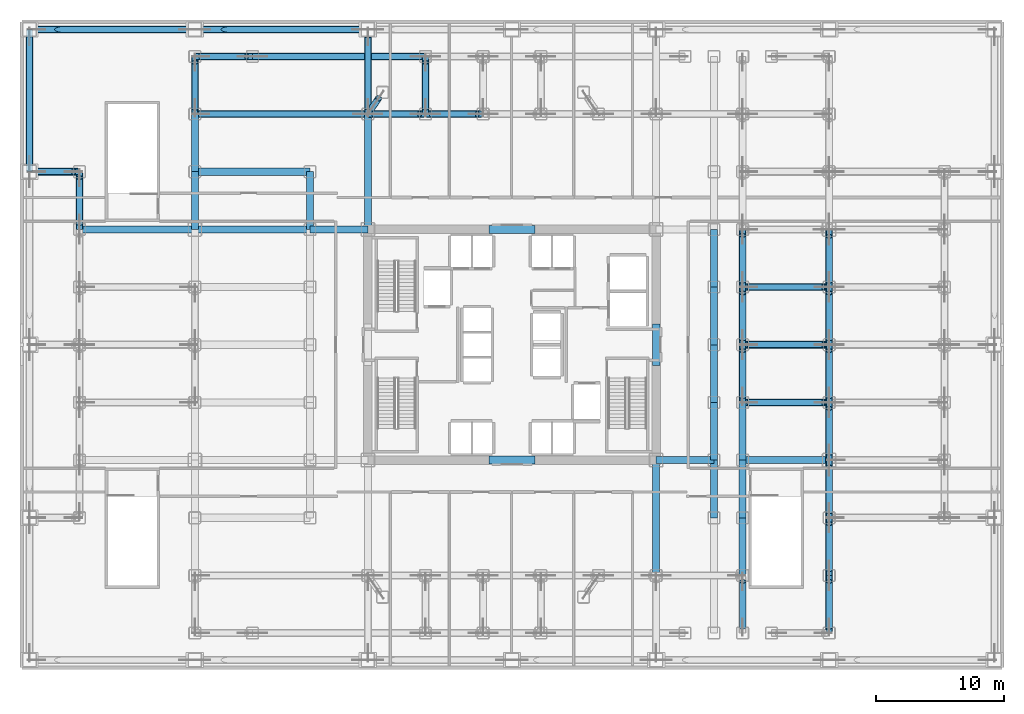
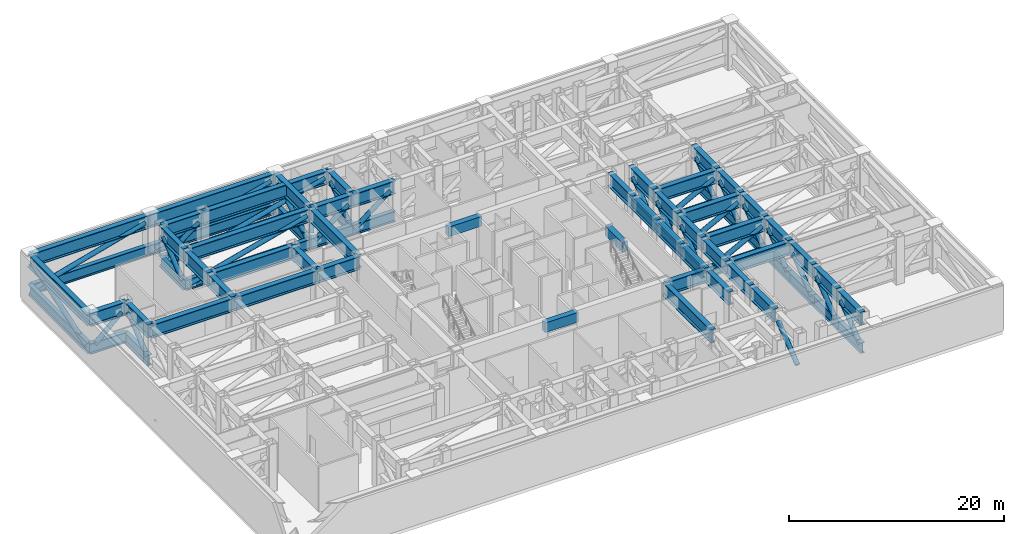
# One storey, part 3 of 17: 74 beams, 28 members.
"""IFC4 building model written with IfcOpenShell, lengths in metres."""

import ifcopenshell
import ifcopenshell.guid

model = None  # the IFC model being written
_history = None  # IfcOwnerHistory: only IFC2X3 demands one
_inside = {}  # id of a spatial element -> (the spatial element, [elements in it])
_under = {}  # id of a project, library or spatial element -> (it, [spatial elements below it])
_declared = {}  # id of a project -> (the project, [libraries it declares])
_typed = {}  # id of a type object -> (the type object, [elements of that type])
_made_of = {}  # id of a material, layer set ... -> (it, [elements and type objects made of it])


def new_model(schema):
    """Start an empty IFC model of exactly this schema.

    Asked for "IFC4X3", IfcOpenShell would pick the latest addendum, in which some entities
    have other attributes; the version numbers below select the first issue.
    IFC2X3 requires an IfcOwnerHistory on every rooted entity: one is made here for all.
    """
    global model, _history
    if schema == "IFC4X3":
        model = ifcopenshell.file(schema_version=(4, 3, 0, 0))
    else:
        model = ifcopenshell.file(schema=schema)
    _inside.clear()
    _under.clear()
    _declared.clear()
    _typed.clear()
    _made_of.clear()
    _history = None
    if model.schema == "IFC2X3":
        org = make("IfcOrganization", Name="unknown")
        user = make(
            "IfcPersonAndOrganization",
            ThePerson=make("IfcPerson", FamilyName="unknown"),
            TheOrganization=org,
        )
        app = make(
            "IfcApplication",
            ApplicationDeveloper=org,
            Version="unknown",
            ApplicationFullName="unknown",
            ApplicationIdentifier="unknown",
        )
        _history = make(
            "IfcOwnerHistory",
            OwningUser=user,
            OwningApplication=app,
            ChangeAction="ADDED",
            CreationDate=0,
        )
    return model


def make(cls, **values):
    """One entity of the class cls with the attributes given. An attribute that is None is left unset."""
    return model.create_entity(
        cls, **{name: value for name, value in values.items() if value is not None}
    )


def rooted(cls, **values):
    """An entity with a GlobalId (a new one), such as an element, a storey or a relation."""
    return make(cls, GlobalId=ifcopenshell.guid.new(), OwnerHistory=_history, **values)


def si_unit(unit_type, name, prefix=None):
    """IfcSIUnit, for example si_unit("LENGTHUNIT", "METRE", prefix="MILLI")."""
    return make("IfcSIUnit", UnitType=unit_type, Prefix=prefix, Name=name)


def assignment(units):
    """IfcUnitAssignment: the units of a project."""
    return None if units is None else make("IfcUnitAssignment", Units=units)


def point(xyz):
    """IfcCartesianPoint."""
    return None if xyz is None else make("IfcCartesianPoint", Coordinates=xyz)


def direction(xyz):
    """IfcDirection."""
    return None if xyz is None else make("IfcDirection", DirectionRatios=xyz)


def frame(location, z_axis=None, x_axis=None):
    """IfcAxis2Placement3D, a coordinate frame: its origin and axes. An axis left out is left unset."""
    return make(
        "IfcAxis2Placement3D",
        Location=point(location),
        Axis=direction(z_axis),
        RefDirection=direction(x_axis),
    )


def frame_2d(location, x_axis=None):
    """IfcAxis2Placement2D, a coordinate frame in the plane: its origin and x axis."""
    return make(
        "IfcAxis2Placement2D", Location=point(location), RefDirection=direction(x_axis)
    )


def origin():
    """The frame at (0, 0, 0) with its axes left unset."""
    return frame((0.0, 0.0, 0.0))


def origin_2d():
    """The frame at (0, 0) in the plane with its x axis left unset."""
    return frame_2d((0.0, 0.0))


def place(relative_to, where):
    """IfcLocalPlacement: puts the frame where relative to a parent placement (None: the world)."""
    return make(
        "IfcLocalPlacement", PlacementRelTo=relative_to, RelativePlacement=where
    )


def context(
    kind, dimensions, precision=None, world=None, true_north=None, identifier=None
):
    """IfcGeometricRepresentationContext, for example the 3D "Model" context."""
    return make(
        "IfcGeometricRepresentationContext",
        ContextIdentifier=identifier,
        ContextType=kind,
        CoordinateSpaceDimension=dimensions,
        Precision=precision,
        WorldCoordinateSystem=world,
        TrueNorth=true_north,
    )


def subcontext(parent, identifier, kind, view, scale=None):
    """IfcGeometricRepresentationSubContext, for example "Body" below "Model"."""
    return make(
        "IfcGeometricRepresentationSubContext",
        ContextIdentifier=identifier,
        ContextType=kind,
        ParentContext=parent,
        TargetScale=scale,
        TargetView=view,
    )


def project(units=None, contexts=None):
    """IfcProject with its units and contexts."""
    return rooted(
        "IfcProject",
        Name="project",
        RepresentationContexts=contexts,
        UnitsInContext=assignment(units),
    )


def spatial(cls, under=None, at=None, **own):
    """A site, building, storey or space (cls), placed at a placement, below another one or the project."""
    s = rooted(cls, ObjectPlacement=at, **own)
    if under is not None:
        _under.setdefault(under.id(), (under, []))[1].append(s)
    return s


def profile(cls, at=None, kind="AREA", **sizes):
    """A parametric profile (cls). Its sizes go by their IFC names, for example OverallWidth=200.0."""
    return make(cls, ProfileType=kind, Position=at, **sizes)


def rectangle(**sizes):
    """IfcRectangleProfileDef."""
    return profile("IfcRectangleProfileDef", **sizes)


def hollow_circle(**sizes):
    """IfcCircleHollowProfileDef."""
    return profile("IfcCircleHollowProfileDef", **sizes)


def i_section(**sizes):
    """IfcIShapeProfileDef."""
    return profile("IfcIShapeProfileDef", **sizes)


def extrude(swept, where, along, depth):
    """IfcExtrudedAreaSolid: the profile swept, set in the frame where, extruded along a direction by depth."""
    return make(
        "IfcExtrudedAreaSolid",
        SweptArea=swept,
        Position=where,
        ExtrudedDirection=direction(along),
        Depth=depth,
    )


def shape(context_of_items, identifier, shape_type, items):
    """IfcShapeRepresentation: the items that make up one representation, for example the "Body"."""
    return make(
        "IfcShapeRepresentation",
        ContextOfItems=context_of_items,
        RepresentationIdentifier=identifier,
        RepresentationType=shape_type,
        Items=items,
    )


def source(mapping_origin, context_of_items, identifier, shape_type, items):
    """IfcRepresentationMap: a shape defined once, which mapped items show again and again."""
    return make(
        "IfcRepresentationMap",
        MappingOrigin=mapping_origin,
        MappedRepresentation=shape(context_of_items, identifier, shape_type, items),
    )


def transform(
    local_origin,
    x_axis=None,
    y_axis=None,
    z_axis=None,
    scale=None,
    scale2=None,
    scale3=None,
    uniform=True,
):
    """IfcCartesianTransformationOperator3D, or its non-uniform kind. x_axis, y_axis, z_axis: its Axis1, 2, 3."""
    if uniform:
        return make(
            "IfcCartesianTransformationOperator3D",
            Axis1=direction(x_axis),
            Axis2=direction(y_axis),
            LocalOrigin=point(local_origin),
            Scale=scale,
            Axis3=direction(z_axis),
        )
    return make(
        "IfcCartesianTransformationOperator3DnonUniform",
        Axis1=direction(x_axis),
        Axis2=direction(y_axis),
        LocalOrigin=point(local_origin),
        Scale=scale,
        Axis3=direction(z_axis),
        Scale2=scale2,
        Scale3=scale3,
    )


def mapped(mapping_source, mapping_target):
    """IfcMappedItem: shows the shape of a source again, moved by a transform."""
    return make(
        "IfcMappedItem", MappingSource=mapping_source, MappingTarget=mapping_target
    )


def material(Name=None, Category=None):
    """IfcMaterial."""
    return make("IfcMaterial", Name=Name, Category=Category)


def material_profile(
    of_material, cross_section, Name=None, Category=None, Priority=None
):
    """IfcMaterialProfile: a cross section and its material."""
    return make(
        "IfcMaterialProfile",
        Name=Name,
        Material=of_material,
        Profile=cross_section,
        Priority=Priority,
        Category=Category,
    )


def profile_set(profiles, Name=None, composite=None):
    """IfcMaterialProfileSet."""
    return make(
        "IfcMaterialProfileSet",
        Name=Name,
        MaterialProfiles=profiles,
        CompositeProfile=composite,
    )


def made_of(thing, what):
    """Note that an element or type object is made of a material, layer set ...; save() writes the relation."""
    if what is not None:
        _made_of.setdefault(what.id(), (what, []))[1].append(thing)
    return thing


def type_object(cls, material=None, **own):
    """A type object (cls), such as IfcWallType, which elements share."""
    return made_of(rooted(cls, **own), material)


def element(
    cls,
    number,
    at=None,
    inside=None,
    cuts=None,
    type_object=None,
    material=None,
    context=None,
    identifier="Body",
    shape_type=None,
    held_by="IfcProductDefinitionShape",
    body=None,
    shapes=None,
    **own,
):
    """One element of the class cls, such as IfcWall. Its Tag is "e" and its number.

    at: its placement. inside: the storey or other place that contains it. cuts: it is an
    opening in that element (IfcRelVoidsElement). A single representation is given by context,
    identifier, shape_type and body (its items); several are given by shapes. held_by: the class
    of the entity that holds the representations. save() writes the other relations.
    """
    e = rooted(cls, Tag="e%d" % number, ObjectPlacement=at, **own)
    if body is not None:
        shapes = [shape(context, identifier, shape_type, body)]
    if shapes is not None:
        e.Representation = make(held_by, Representations=shapes)
    if inside is not None:
        _inside.setdefault(inside.id(), (inside, []))[1].append(e)
    if cuts is not None:
        rooted(
            "IfcRelVoidsElement", RelatingBuildingElement=cuts, RelatedOpeningElement=e
        )
    if type_object is not None:
        _typed.setdefault(type_object.id(), (type_object, []))[1].append(e)
    return made_of(e, material)


def aggregate(whole, parts):
    """IfcRelAggregates: a whole, such as a stair, and the parts it consists of."""
    return rooted("IfcRelAggregates", RelatingObject=whole, RelatedObjects=parts)


def save(model, path):
    """Write the relations noted so far, then the file.

    IfcRelAggregates (storeys below a building ...), IfcRelContainedInSpatialStructure (elements
    in a storey), IfcRelDefinesByType, IfcRelAssociatesMaterial and IfcRelDeclares: one each for
    every whole, place, type object, material and project.
    """
    for whole, parts in _under.values():
        aggregate(whole, parts)
    for where, things in _inside.values():
        rooted(
            "IfcRelContainedInSpatialStructure",
            RelatedElements=things,
            RelatingStructure=where,
        )
    for kind, things in _typed.values():
        rooted("IfcRelDefinesByType", RelatedObjects=things, RelatingType=kind)
    for what, things in _made_of.values():
        rooted("IfcRelAssociatesMaterial", RelatedObjects=things, RelatingMaterial=what)
    for by, libraries in _declared.values():
        rooted("IfcRelDeclares", RelatingContext=by, RelatedDefinitions=libraries)
    model.write(path)


model = new_model("IFC4")

# Units and contexts
model_context = context("Model", 3, precision=1e-05, world=origin(), true_north=direction((0.0, 1.0)))
body_context = subcontext(model_context, "Body", "Model", "MODEL_VIEW")
ifc_project = project(units=[si_unit("LENGTHUNIT", "METRE"), si_unit("AREAUNIT", "SQUARE_METRE"), si_unit("VOLUMEUNIT", "CUBIC_METRE"), si_unit("PLANEANGLEUNIT", "RADIAN"), si_unit("MASSUNIT", "GRAM", prefix="KILO")], contexts=[model_context])

# Site, building, storey
site_placement = place(None, origin())
site = spatial("IfcSite", under=ifc_project, at=site_placement, CompositionType="ELEMENT")
building_placement = place(site_placement, origin())
building = spatial("IfcBuilding", under=site, at=building_placement, Name="Nefas-Gora Pilgrimage Tower", CompositionType="ELEMENT")
storey_placement = place(building_placement, frame((0.0, 0.0, 27.60009765625)))
storey = spatial("IfcBuildingStorey", under=building, at=storey_placement, Name="L05", CompositionType="ELEMENT", Elevation=27.60009765625)

# Beams
ifc_material_1 = material(Name="Concrete C60/75", Category="concrete")
ifc_material_profile_1 = material_profile(ifc_material_1, rectangle(XDim=0.60009765625, YDim=1.10009765625, at=origin_2d()), Name="RC 600x1100")
ifc_profile_set_1 = profile_set([ifc_material_profile_1], Name="Concrete C60/75")
beam_type_1 = type_object("IfcBeamType", Name="BM-LIN-RC1100", PredefinedType="LINTEL", material=ifc_profile_set_1)
shared_shape_1 = source(origin(), body_context, "Body", "SweptSolid", [
    extrude(rectangle(XDim=0.60009765625, YDim=1.10009765625, at=origin_2d()), origin(), (0.0, 0.0, 1.0), 3.60009765625),
])
for number, where, z_axis, x_axis, name in (
    (1, (-1.800048828125, 9.0, 4.599853515625), (1.0, 0.0, 0.0), (0.0, 1.0, 0.0), "L05 Core Coupling Lintel Beam N"),
    (2, (-1.800048828125, -9.0, 4.599853515625), (1.0, 0.0, 0.0), (0.0, 1.0, 0.0), "L05 Core Coupling Lintel Beam S"),
):
    element("IfcBeam", number, at=place(storey_placement, frame(where, z_axis=z_axis, x_axis=x_axis)), inside=storey, type_object=beam_type_1, Name=name, PredefinedType="LINTEL", context=body_context, shape_type="MappedRepresentation", body=[
        mapped(shared_shape_1, transform((0.0, 0.0, 0.0), x_axis=(1.0, 0.0, 0.0), y_axis=(0.0, 1.0, 0.0), z_axis=(0.0, 0.0, 1.0), scale=1.0)),
    ])
shared_shape_2 = source(origin(), body_context, "Body", "SweptSolid", [
    extrude(rectangle(XDim=0.60009765625, YDim=1.10009765625, at=origin_2d()), origin(), (0.0, 0.0, 1.0), 3.2001953125),
])
beam_1_placement = place(storey_placement, frame((11.25, -1.60009765625, 4.599853515625), z_axis=(0.0, 1.0, 0.0), x_axis=(-1.0, 0.0, 0.0)))
element("IfcBeam", 3, at=beam_1_placement, inside=storey, type_object=beam_type_1, Name="L05 Core Coupling Lintel Beam E", PredefinedType="LINTEL", context=body_context, shape_type="MappedRepresentation", body=[
    mapped(shared_shape_2, transform((0.0, 0.0, 0.0), x_axis=(1.0, 0.0, 0.0), y_axis=(0.0, 1.0, 0.0), z_axis=(0.0, 0.0, 1.0), scale=1.0)),
])
ifc_material_2 = material(Name="Steel S460", Category="steel")
ifc_material_profile_2 = material_profile(ifc_material_2, i_section(OverallWidth=0.550048828125, OverallDepth=1.5, WebThickness=0.031982421875, FlangeThickness=0.06005859375, FilletRadius=0.02392578125, at=origin_2d()), Name="WPG 1500x550x32x60")
ifc_profile_set_2 = profile_set([ifc_material_profile_2], Name="Steel S460")
beam_type_2 = type_object("IfcBeamType", Name="BM-TR-1500", PredefinedType="BEAM", material=ifc_profile_set_2)
shared_shape_3 = source(origin(), body_context, "Body", "SweptSolid", [
    extrude(i_section(OverallWidth=0.550048828125, OverallDepth=1.5, WebThickness=0.031982421875, FlangeThickness=0.06005859375, FilletRadius=0.02392578125, at=origin_2d()), origin(), (0.0, 0.0, 1.0), 13.5),
])
for number, where, z_axis, x_axis, name in (
    (4, (-24.75, 18.0, 4.39990234375), (1.0, 0.0, 0.0), (0.0, 1.0, 0.0), "L05 Transfer Truss Top Chord TB-01.41"),
    (5, (-24.75, 24.60009765625, 4.39990234375), (1.0, 0.0, 0.0), (0.0, 1.0, 0.0), "L05 Transfer Truss Top Chord TB-01.43"),
    (6, (-20.25, 22.5, 4.39990234375), (1.0, 0.0, 0.0), (0.0, 1.0, 0.0), "L05 Transfer Truss Top Chord TB-01.45"),
):
    element("IfcBeam", number, at=place(storey_placement, frame(where, z_axis=z_axis, x_axis=x_axis)), inside=storey, type_object=beam_type_2, Name=name, PredefinedType="BEAM", context=body_context, shape_type="MappedRepresentation", body=[
        mapped(shared_shape_3, transform((0.0, 0.0, 0.0), x_axis=(1.0, 0.0, 0.0), y_axis=(0.0, 1.0, 0.0), z_axis=(0.0, 0.0, 1.0), scale=1.0)),
    ])
shared_shape_4 = source(origin(), body_context, "Body", "SweptSolid", [
    extrude(i_section(OverallWidth=0.550048828125, OverallDepth=1.5, WebThickness=0.031982421875, FlangeThickness=0.06005859375, FilletRadius=0.02392578125, at=origin_2d()), origin(), (0.0, 0.0, 1.0), 11.10009765625),
])
beam_2_placement = place(storey_placement, frame((-37.64990234375, 13.5, 4.39990234375), z_axis=(0.0, 1.0, 0.0), x_axis=(-1.0, 0.0, 0.0)))
element("IfcBeam", 7, at=beam_2_placement, inside=storey, type_object=beam_type_2, Name="L05 Transfer Truss Top Chord TB-01.7", PredefinedType="BEAM", context=body_context, shape_type="MappedRepresentation", body=[
    mapped(shared_shape_4, transform((0.0, 0.0, 0.0), x_axis=(1.0, 0.0, 0.0), y_axis=(0.0, 1.0, 0.0), z_axis=(0.0, 0.0, 1.0), scale=1.0)),
])
ifc_material_profile_3 = material_profile(ifc_material_2, i_section(OverallWidth=0.449951171875, OverallDepth=1.199951171875, WebThickness=0.028076171875, FlangeThickness=0.050048828125, FilletRadius=0.02392578125, at=origin_2d()), Name="WPG 1200x450x28x50")
ifc_profile_set_3 = profile_set([ifc_material_profile_3], Name="Steel S460")
beam_type_3 = type_object("IfcBeamType", Name="BM-TR-1200", PredefinedType="BEAM", material=ifc_profile_set_3)
shared_shape_5 = source(origin(), body_context, "Body", "SweptSolid", [
    extrude(i_section(OverallWidth=0.449951171875, OverallDepth=1.199951171875, WebThickness=0.028076171875, FlangeThickness=0.050048828125, FilletRadius=0.02392578125, at=origin_2d()), origin(), (0.0, 0.0, 1.0), 11.10009765625),
])
beam_3_placement = place(storey_placement, frame((-37.64990234375, 13.5, 1.0498046875), z_axis=(0.0, 1.0, 0.0), x_axis=(-1.0, 0.0, 0.0)))
element("IfcBeam", 8, at=beam_3_placement, inside=storey, type_object=beam_type_3, Name="L05 Transfer Truss Bottom Chord TB-02.7", PredefinedType="BEAM", context=body_context, shape_type="MappedRepresentation", body=[
    mapped(shared_shape_5, transform((0.0, 0.0, 0.0), x_axis=(1.0, 0.0, 0.0), y_axis=(0.0, 1.0, 0.0), z_axis=(0.0, 0.0, 1.0), scale=1.0)),
])

# Member
ifc_material_profile_4 = material_profile(ifc_material_2, hollow_circle(Radius=0.25390625, WallThickness=0.031982421875, at=origin_2d()), Name="CHS 508x32")
ifc_profile_set_4 = profile_set([ifc_material_profile_4], Name="Steel S460")
member_type = type_object("IfcMemberType", Name="MEM-TRUSS-508", PredefinedType="BRACE", material=ifc_profile_set_4)
shared_shape_6 = source(origin(), body_context, "Body", "SweptSolid", [
    extrude(hollow_circle(Radius=0.25390625, WallThickness=0.031982421875, at=origin_2d()), origin(), (0.0, 0.0, 1.0), 10.524169921875),
])
member_1_placement = place(storey_placement, frame((-37.64990234375, 14.0380859375, 1.02197265625), z_axis=(0.0, 0.952475042188, 0.304616634492), x_axis=(-1.0, 0.0, 0.0)))
element("IfcMember", 9, at=member_1_placement, inside=storey, type_object=member_type, Name="L05 Transfer Truss Web Diagonal TBR-01.7", PredefinedType="BRACE", context=body_context, shape_type="MappedRepresentation", body=[
    mapped(shared_shape_6, transform((0.0, 0.0, 0.0), x_axis=(1.0, 0.0, 0.0), y_axis=(0.0, 1.0, 0.0), z_axis=(0.0, 0.0, 1.0), scale=1.0)),
])

# Beams
shared_shape_7 = source(origin(), body_context, "Body", "SweptSolid", [
    extrude(i_section(OverallWidth=0.550048828125, OverallDepth=1.5, WebThickness=0.031982421875, FlangeThickness=0.06005859375, FilletRadius=0.02392578125, at=origin_2d()), origin(), (0.0, 0.0, 1.0), 12.89990234375),
])
beam_4_placement = place(storey_placement, frame((-37.64990234375, 24.60009765625, 4.39990234375), z_axis=(1.0, 0.0, 0.0), x_axis=(0.0, 1.0, 0.0)))
element("IfcBeam", 10, at=beam_4_placement, inside=storey, type_object=beam_type_2, Name="L05 Transfer Truss Top Chord TB-01.9", PredefinedType="BEAM", context=body_context, shape_type="MappedRepresentation", body=[
    mapped(shared_shape_7, transform((0.0, 0.0, 0.0), x_axis=(1.0, 0.0, 0.0), y_axis=(0.0, 1.0, 0.0), z_axis=(0.0, 0.0, 1.0), scale=1.0)),
])
shared_shape_8 = source(origin(), body_context, "Body", "SweptSolid", [
    extrude(i_section(OverallWidth=0.449951171875, OverallDepth=1.199951171875, WebThickness=0.028076171875, FlangeThickness=0.050048828125, FilletRadius=0.02392578125, at=origin_2d()), origin(), (0.0, 0.0, 1.0), 12.89990234375),
])
beam_5_placement = place(storey_placement, frame((-37.64990234375, 24.60009765625, 1.0498046875), z_axis=(1.0, 0.0, 0.0), x_axis=(0.0, 1.0, 0.0)))
element("IfcBeam", 11, at=beam_5_placement, inside=storey, type_object=beam_type_3, Name="L05 Transfer Truss Bottom Chord TB-02.9", PredefinedType="BEAM", context=body_context, shape_type="MappedRepresentation", body=[
    mapped(shared_shape_8, transform((0.0, 0.0, 0.0), x_axis=(1.0, 0.0, 0.0), y_axis=(0.0, 1.0, 0.0), z_axis=(0.0, 0.0, 1.0), scale=1.0)),
])

# Member
shared_shape_9 = source(origin(), body_context, "Body", "SweptSolid", [
    extrude(hollow_circle(Radius=0.25390625, WallThickness=0.031982421875, at=origin_2d()), origin(), (0.0, 0.0, 1.0), 12.263427734375),
])
member_2_placement = place(storey_placement, frame((-37.112060546875, 24.60009765625, 0.998046875), z_axis=(0.964162244211, 0.0, 0.26531333709), x_axis=(0.0, 1.0, 0.0)))
element("IfcMember", 12, at=member_2_placement, inside=storey, type_object=member_type, Name="L05 Transfer Truss Web Diagonal TBR-01.9", PredefinedType="BRACE", context=body_context, shape_type="MappedRepresentation", body=[
    mapped(shared_shape_9, transform((0.0, 0.0, 0.0), x_axis=(1.0, 0.0, 0.0), y_axis=(0.0, 1.0, 0.0), z_axis=(0.0, 0.0, 1.0), scale=1.0)),
])

# Beams
shared_shape_10 = source(origin(), body_context, "Body", "SweptSolid", [
    extrude(i_section(OverallWidth=0.449951171875, OverallDepth=1.199951171875, WebThickness=0.028076171875, FlangeThickness=0.050048828125, FilletRadius=0.02392578125, at=origin_2d()), origin(), (0.0, 0.0, 1.0), 13.5),
])
for number, where, z_axis, x_axis, name in (
    (13, (-24.75, 18.0, 1.0498046875), (1.0, 0.0, 0.0), (0.0, 1.0, 0.0), "L05 Transfer Truss Bottom Chord TB-02.41"),
    (14, (-24.75, 24.60009765625, 1.0498046875), (1.0, 0.0, 0.0), (0.0, 1.0, 0.0), "L05 Transfer Truss Bottom Chord TB-02.43"),
    (15, (-20.25, 22.5, 1.0498046875), (1.0, 0.0, 0.0), (0.0, 1.0, 0.0), "L05 Transfer Truss Bottom Chord TB-02.45"),
):
    element("IfcBeam", number, at=place(storey_placement, frame(where, z_axis=z_axis, x_axis=x_axis)), inside=storey, type_object=beam_type_3, Name=name, PredefinedType="BEAM", context=body_context, shape_type="MappedRepresentation", body=[
        mapped(shared_shape_10, transform((0.0, 0.0, 0.0), x_axis=(1.0, 0.0, 0.0), y_axis=(0.0, 1.0, 0.0), z_axis=(0.0, 0.0, 1.0), scale=1.0)),
    ])

# Member
shared_shape_11 = source(origin(), body_context, "Body", "SweptSolid", [
    extrude(hollow_circle(Radius=0.25390625, WallThickness=0.031982421875, at=origin_2d()), origin(), (0.0, 0.0, 1.0), 12.84619140625),
])
member_3_placement = place(storey_placement, frame((-24.2119140625, 24.60009765625, 0.991455078125), z_axis=(0.967124000788, 0.0, 0.254305263609), x_axis=(0.0, 1.0, 0.0)))
element("IfcMember", 16, at=member_3_placement, inside=storey, type_object=member_type, Name="L05 Transfer Truss Web Diagonal TBR-01.43", PredefinedType="BRACE", context=body_context, shape_type="MappedRepresentation", body=[
    mapped(shared_shape_11, transform((0.0, 0.0, 0.0), x_axis=(1.0, 0.0, 0.0), y_axis=(0.0, 1.0, 0.0), z_axis=(0.0, 0.0, 1.0), scale=1.0)),
])

# Beams
shared_shape_12 = source(origin(), body_context, "Body", "SweptSolid", [
    extrude(i_section(OverallWidth=0.550048828125, OverallDepth=1.5, WebThickness=0.031982421875, FlangeThickness=0.06005859375, FilletRadius=0.02392578125, at=origin_2d()), origin(), (0.0, 0.0, 1.0), 3.89990234375),
])
beam_6_placement = place(storey_placement, frame((-37.64990234375, 13.5, 4.39990234375), z_axis=(1.0, 0.0, 0.0), x_axis=(0.0, 1.0, 0.0)))
element("IfcBeam", 17, at=beam_6_placement, inside=storey, type_object=beam_type_2, Name="L05 Transfer Truss Top Chord TB-01.8", PredefinedType="BEAM", context=body_context, shape_type="MappedRepresentation", body=[
    mapped(shared_shape_12, transform((0.0, 0.0, 0.0), x_axis=(1.0, 0.0, 0.0), y_axis=(0.0, 1.0, 0.0), z_axis=(0.0, 0.0, 1.0), scale=1.0)),
])
shared_shape_13 = source(origin(), body_context, "Body", "SweptSolid", [
    extrude(i_section(OverallWidth=0.449951171875, OverallDepth=1.199951171875, WebThickness=0.028076171875, FlangeThickness=0.050048828125, FilletRadius=0.02392578125, at=origin_2d()), origin(), (0.0, 0.0, 1.0), 3.89990234375),
])
beam_7_placement = place(storey_placement, frame((-37.64990234375, 13.5, 1.0498046875), z_axis=(1.0, 0.0, 0.0), x_axis=(0.0, 1.0, 0.0)))
element("IfcBeam", 18, at=beam_7_placement, inside=storey, type_object=beam_type_3, Name="L05 Transfer Truss Bottom Chord TB-02.8", PredefinedType="BEAM", context=body_context, shape_type="MappedRepresentation", body=[
    mapped(shared_shape_13, transform((0.0, 0.0, 0.0), x_axis=(1.0, 0.0, 0.0), y_axis=(0.0, 1.0, 0.0), z_axis=(0.0, 0.0, 1.0), scale=1.0)),
])

# Member
shared_shape_14 = source(origin(), body_context, "Body", "SweptSolid", [
    extrude(hollow_circle(Radius=0.25390625, WallThickness=0.031982421875, at=origin_2d()), origin(), (0.0, 0.0, 1.0), 3.92041015625),
])
member_4_placement = place(storey_placement, frame((-37.112060546875, 13.5, 1.339599609375), z_axis=(0.739520063615, 0.0, 0.673134515168), x_axis=(0.0, 1.0, 0.0)))
element("IfcMember", 19, at=member_4_placement, inside=storey, type_object=member_type, Name="L05 Transfer Truss Web Diagonal TBR-01.8", PredefinedType="BRACE", context=body_context, shape_type="MappedRepresentation", body=[
    mapped(shared_shape_14, transform((0.0, 0.0, 0.0), x_axis=(1.0, 0.0, 0.0), y_axis=(0.0, 1.0, 0.0), z_axis=(0.0, 0.0, 1.0), scale=1.0)),
])

# Beams
shared_shape_15 = source(origin(), body_context, "Body", "SweptSolid", [
    extrude(i_section(OverallWidth=0.550048828125, OverallDepth=1.5, WebThickness=0.031982421875, FlangeThickness=0.06005859375, FilletRadius=0.02392578125, at=origin_2d()), origin(), (0.0, 0.0, 1.0), 4.5),
])
for number, where, z_axis, x_axis, name in (
    (20, (-33.75, 9.0, 4.39990234375), (0.0, 1.0, 0.0), (-1.0, 0.0, 0.0), "L05 Transfer Truss Top Chord TB-01.19"),
    (21, (-24.75, 9.0, 4.39990234375), (0.0, 1.0, 0.0), (-1.0, 0.0, 0.0), "L05 Transfer Truss Top Chord TB-01.36"),
    (22, (-24.75, 13.5, 4.39990234375), (0.0, 1.0, 0.0), (-1.0, 0.0, 0.0), "L05 Transfer Truss Top Chord TB-01.38"),
    (23, (-24.75, 18.0, 4.39990234375), (0.0, 1.0, 0.0), (-1.0, 0.0, 0.0), "L05 Transfer Truss Top Chord TB-01.40"),
    (24, (-24.75, 22.5, 4.39990234375), (1.0, 0.0, 0.0), (0.0, 1.0, 0.0), "L05 Transfer Truss Top Chord TB-01.42"),
    (25, (-15.75, 9.0, 4.39990234375), (0.0, 1.0, 0.0), (-1.0, 0.0, 0.0), "L05 Transfer Truss Top Chord TB-01.52"),
    (26, (-15.75, 9.0, 4.39990234375), (1.0, 0.0, 0.0), (0.0, 1.0, 0.0), "L05 Transfer Truss Top Chord TB-01.53"),
    (27, (-11.25, 18.0, 4.39990234375), (1.0, 0.0, 0.0), (0.0, 1.0, 0.0), "L05 Transfer Truss Top Chord TB-01.60"),
    (28, (-6.75, 18.0, 4.39990234375), (0.0, 1.0, 0.0), (-1.0, 0.0, 0.0), "L05 Transfer Truss Top Chord TB-01.65"),
    (29, (-6.75, 18.0, 4.39990234375), (1.0, 0.0, 0.0), (0.0, 1.0, 0.0), "L05 Transfer Truss Top Chord TB-01.66"),
    (30, (11.25, -9.0, 4.39990234375), (1.0, 0.0, 0.0), (0.0, 1.0, 0.0), "L05 Transfer Truss Top Chord TB-01.88"),
    (31, (15.75, -13.5, 4.39990234375), (0.0, 1.0, 0.0), (-1.0, 0.0, 0.0), "L05 Transfer Truss Top Chord TB-01.95"),
    (32, (15.75, -9.0, 4.39990234375), (0.0, 1.0, 0.0), (-1.0, 0.0, 0.0), "L05 Transfer Truss Top Chord TB-01.96"),
    (33, (15.75, -4.5, 4.39990234375), (0.0, 1.0, 0.0), (-1.0, 0.0, 0.0), "L05 Transfer Truss Top Chord TB-01.97"),
    (34, (15.75, 0.0, 4.39990234375), (0.0, 1.0, 0.0), (-1.0, 0.0, 0.0), "L05 Transfer Truss Top Chord TB-01.98"),
    (35, (15.75, 4.5, 4.39990234375), (0.0, 1.0, 0.0), (-1.0, 0.0, 0.0), "L05 Transfer Truss Top Chord TB-01.99"),
    (36, (18.0, -18.0, 4.39990234375), (0.0, 1.0, 0.0), (-1.0, 0.0, 0.0), "L05 Transfer Truss Top Chord TB-01.103"),
    (37, (18.0, -13.5, 4.39990234375), (0.0, 1.0, 0.0), (-1.0, 0.0, 0.0), "L05 Transfer Truss Top Chord TB-01.104"),
    (38, (18.0, -9.0, 4.39990234375), (0.0, 1.0, 0.0), (-1.0, 0.0, 0.0), "L05 Transfer Truss Top Chord TB-01.105"),
    (39, (18.0, -4.5, 4.39990234375), (0.0, 1.0, 0.0), (-1.0, 0.0, 0.0), "L05 Transfer Truss Top Chord TB-01.107"),
    (40, (18.0, 0.0, 4.39990234375), (0.0, 1.0, 0.0), (-1.0, 0.0, 0.0), "L05 Transfer Truss Top Chord TB-01.109"),
    (41, (18.0, 4.5, 4.39990234375), (0.0, 1.0, 0.0), (-1.0, 0.0, 0.0), "L05 Transfer Truss Top Chord TB-01.111"),
    (42, (24.75, -22.5, 4.39990234375), (0.0, 1.0, 0.0), (-1.0, 0.0, 0.0), "L05 Transfer Truss Top Chord TB-01.122"),
    (43, (24.75, -18.0, 4.39990234375), (0.0, 1.0, 0.0), (-1.0, 0.0, 0.0), "L05 Transfer Truss Top Chord TB-01.123"),
    (44, (24.75, -13.5, 4.39990234375), (0.0, 1.0, 0.0), (-1.0, 0.0, 0.0), "L05 Transfer Truss Top Chord TB-01.124"),
    (45, (24.75, -9.0, 4.39990234375), (0.0, 1.0, 0.0), (-1.0, 0.0, 0.0), "L05 Transfer Truss Top Chord TB-01.126"),
    (46, (24.75, -4.5, 4.39990234375), (0.0, 1.0, 0.0), (-1.0, 0.0, 0.0), "L05 Transfer Truss Top Chord TB-01.128"),
    (47, (24.75, 0.0, 4.39990234375), (0.0, 1.0, 0.0), (-1.0, 0.0, 0.0), "L05 Transfer Truss Top Chord TB-01.130"),
    (48, (24.75, 4.5, 4.39990234375), (0.0, 1.0, 0.0), (-1.0, 0.0, 0.0), "L05 Transfer Truss Top Chord TB-01.132"),
):
    element("IfcBeam", number, at=place(storey_placement, frame(where, z_axis=z_axis, x_axis=x_axis)), inside=storey, type_object=beam_type_2, Name=name, PredefinedType="BEAM", context=body_context, shape_type="MappedRepresentation", body=[
        mapped(shared_shape_15, transform((0.0, 0.0, 0.0), x_axis=(1.0, 0.0, 0.0), y_axis=(0.0, 1.0, 0.0), z_axis=(0.0, 0.0, 1.0), scale=1.0)),
    ])
shared_shape_16 = source(origin(), body_context, "Body", "SweptSolid", [
    extrude(i_section(OverallWidth=0.449951171875, OverallDepth=1.199951171875, WebThickness=0.028076171875, FlangeThickness=0.050048828125, FilletRadius=0.02392578125, at=origin_2d()), origin(), (0.0, 0.0, 1.0), 4.5),
])
for number, where, z_axis, x_axis, name in (
    (49, (-33.75, 9.0, 1.0498046875), (0.0, 1.0, 0.0), (-1.0, 0.0, 0.0), "L05 Transfer Truss Bottom Chord TB-02.19"),
    (50, (-24.75, 18.0, 1.0498046875), (0.0, 1.0, 0.0), (-1.0, 0.0, 0.0), "L05 Transfer Truss Bottom Chord TB-02.40"),
    (51, (-24.75, 22.5, 1.0498046875), (1.0, 0.0, 0.0), (0.0, 1.0, 0.0), "L05 Transfer Truss Bottom Chord TB-02.42"),
    (52, (-11.25, 18.0, 1.0498046875), (1.0, 0.0, 0.0), (0.0, 1.0, 0.0), "L05 Transfer Truss Bottom Chord TB-02.60"),
    (53, (-6.75, 18.0, 1.0498046875), (0.0, 1.0, 0.0), (-1.0, 0.0, 0.0), "L05 Transfer Truss Bottom Chord TB-02.65"),
    (54, (-6.75, 18.0, 1.0498046875), (1.0, 0.0, 0.0), (0.0, 1.0, 0.0), "L05 Transfer Truss Bottom Chord TB-02.66"),
    (55, (18.0, -4.5, 1.0498046875), (0.0, 1.0, 0.0), (-1.0, 0.0, 0.0), "L05 Transfer Truss Bottom Chord TB-02.107"),
    (56, (18.0, 0.0, 1.0498046875), (0.0, 1.0, 0.0), (-1.0, 0.0, 0.0), "L05 Transfer Truss Bottom Chord TB-02.109"),
    (57, (18.0, 4.5, 1.0498046875), (0.0, 1.0, 0.0), (-1.0, 0.0, 0.0), "L05 Transfer Truss Bottom Chord TB-02.111"),
    (58, (24.75, -22.5, 1.0498046875), (0.0, 1.0, 0.0), (-1.0, 0.0, 0.0), "L05 Transfer Truss Bottom Chord TB-02.122"),
    (59, (24.75, -18.0, 1.0498046875), (0.0, 1.0, 0.0), (-1.0, 0.0, 0.0), "L05 Transfer Truss Bottom Chord TB-02.123"),
    (60, (24.75, -13.5, 1.0498046875), (0.0, 1.0, 0.0), (-1.0, 0.0, 0.0), "L05 Transfer Truss Bottom Chord TB-02.124"),
    (61, (24.75, -9.0, 1.0498046875), (0.0, 1.0, 0.0), (-1.0, 0.0, 0.0), "L05 Transfer Truss Bottom Chord TB-02.126"),
    (62, (24.75, -4.5, 1.0498046875), (0.0, 1.0, 0.0), (-1.0, 0.0, 0.0), "L05 Transfer Truss Bottom Chord TB-02.128"),
    (63, (24.75, 0.0, 1.0498046875), (0.0, 1.0, 0.0), (-1.0, 0.0, 0.0), "L05 Transfer Truss Bottom Chord TB-02.130"),
    (64, (24.75, 4.5, 1.0498046875), (0.0, 1.0, 0.0), (-1.0, 0.0, 0.0), "L05 Transfer Truss Bottom Chord TB-02.132"),
):
    element("IfcBeam", number, at=place(storey_placement, frame(where, z_axis=z_axis, x_axis=x_axis)), inside=storey, type_object=beam_type_3, Name=name, PredefinedType="BEAM", context=body_context, shape_type="MappedRepresentation", body=[
        mapped(shared_shape_16, transform((0.0, 0.0, 0.0), x_axis=(1.0, 0.0, 0.0), y_axis=(0.0, 1.0, 0.0), z_axis=(0.0, 0.0, 1.0), scale=1.0)),
    ])

# Members
shared_shape_17 = source(origin(), body_context, "Body", "SweptSolid", [
    extrude(hollow_circle(Radius=0.25390625, WallThickness=0.031982421875, at=origin_2d()), origin(), (0.0, 0.0, 1.0), 4.552490234375),
])
for number, where, z_axis, x_axis, name in (
    (65, (-33.75, 9.462890625, 1.215087890625), (0.0, 0.785114702189, 0.619350389042), (-1.0, 0.0, 0.0), "L05 Transfer Truss Web Diagonal TBR-01.19"),
    (66, (-24.75, 18.462890625, 1.215087890625), (0.0, 0.785114702189, 0.619350389042), (-1.0, 0.0, 0.0), "L05 Transfer Truss Web Diagonal TBR-01.40"),
    (67, (-24.287109375, 22.5, 1.215087890625), (0.785114702189, 0.0, 0.619350389042), (0.0, 1.0, 0.0), "L05 Transfer Truss Web Diagonal TBR-01.42"),
    (68, (-10.787109375, 18.0, 1.215087890625), (0.785114702189, 0.0, 0.619350389042), (0.0, 1.0, 0.0), "L05 Transfer Truss Web Diagonal TBR-01.60"),
    (69, (-6.75, 18.462890625, 1.215087890625), (0.0, 0.785114702189, 0.619350389042), (-1.0, 0.0, 0.0), "L05 Transfer Truss Web Diagonal TBR-01.65"),
    (70, (-6.287109375, 18.0, 1.215087890625), (0.785114702189, 0.0, 0.619350389042), (0.0, 1.0, 0.0), "L05 Transfer Truss Web Diagonal TBR-01.66"),
    (71, (18.0, -22.037109375, 1.215087890625), (0.0, 0.785114702189, 0.619350389042), (-1.0, 0.0, 0.0), "L05 Transfer Truss Web Diagonal TBR-01.102"),
    (72, (18.0, -4.037109375, 1.215087890625), (0.0, 0.785114702189, 0.619350389042), (-1.0, 0.0, 0.0), "L05 Transfer Truss Web Diagonal TBR-01.107"),
    (73, (18.0, 0.462890625, 1.215087890625), (0.0, 0.785114702189, 0.619350389042), (-1.0, 0.0, 0.0), "L05 Transfer Truss Web Diagonal TBR-01.109"),
    (74, (18.0, 4.962890625, 1.215087890625), (0.0, 0.785114702189, 0.619350389042), (-1.0, 0.0, 0.0), "L05 Transfer Truss Web Diagonal TBR-01.111"),
    (75, (24.75, -22.037109375, 1.215087890625), (0.0, 0.785114702189, 0.619350389042), (-1.0, 0.0, 0.0), "L05 Transfer Truss Web Diagonal TBR-01.122"),
    (76, (24.75, -17.537109375, 1.215087890625), (0.0, 0.785114702189, 0.619350389042), (-1.0, 0.0, 0.0), "L05 Transfer Truss Web Diagonal TBR-01.123"),
    (77, (24.75, -4.037109375, 1.215087890625), (0.0, 0.785114702189, 0.619350389042), (-1.0, 0.0, 0.0), "L05 Transfer Truss Web Diagonal TBR-01.128"),
    (78, (24.75, 0.462890625, 1.215087890625), (0.0, 0.785114702189, 0.619350389042), (-1.0, 0.0, 0.0), "L05 Transfer Truss Web Diagonal TBR-01.130"),
):
    element("IfcMember", number, at=place(storey_placement, frame(where, z_axis=z_axis, x_axis=x_axis)), inside=storey, type_object=member_type, Name=name, PredefinedType="BRACE", context=body_context, shape_type="MappedRepresentation", body=[
        mapped(shared_shape_17, transform((0.0, 0.0, 0.0), x_axis=(1.0, 0.0, 0.0), y_axis=(0.0, 1.0, 0.0), z_axis=(0.0, 0.0, 1.0), scale=1.0)),
    ])

# Beams
shared_shape_18 = source(origin(), body_context, "Body", "SweptSolid", [
    extrude(i_section(OverallWidth=0.550048828125, OverallDepth=1.5, WebThickness=0.031982421875, FlangeThickness=0.06005859375, FilletRadius=0.02392578125, at=origin_2d()), origin(), (0.0, 0.0, 1.0), 9.0),
])
for number, where, z_axis, x_axis, name in (
    (79, (-33.75, 9.0, 4.39990234375), (1.0, 0.0, 0.0), (0.0, 1.0, 0.0), "L05 Transfer Truss Top Chord TB-01.20"),
    (80, (-24.75, 9.0, 4.39990234375), (1.0, 0.0, 0.0), (0.0, 1.0, 0.0), "L05 Transfer Truss Top Chord TB-01.37"),
    (81, (-24.75, 13.5, 4.39990234375), (1.0, 0.0, 0.0), (0.0, 1.0, 0.0), "L05 Transfer Truss Top Chord TB-01.39"),
    (82, (-11.25, 9.0, 4.39990234375), (0.0, 1.0, 0.0), (-1.0, 0.0, 0.0), "L05 Transfer Truss Top Chord TB-01.58"),
    (83, (11.25, -18.0, 4.39990234375), (0.0, 1.0, 0.0), (-1.0, 0.0, 0.0), "L05 Transfer Truss Top Chord TB-01.86"),
):
    element("IfcBeam", number, at=place(storey_placement, frame(where, z_axis=z_axis, x_axis=x_axis)), inside=storey, type_object=beam_type_2, Name=name, PredefinedType="BEAM", context=body_context, shape_type="MappedRepresentation", body=[
        mapped(shared_shape_18, transform((0.0, 0.0, 0.0), x_axis=(1.0, 0.0, 0.0), y_axis=(0.0, 1.0, 0.0), z_axis=(0.0, 0.0, 1.0), scale=1.0)),
    ])

# Members
shared_shape_19 = source(origin(), body_context, "Body", "SweptSolid", [
    extrude(hollow_circle(Radius=0.25390625, WallThickness=0.031982421875, at=origin_2d()), origin(), (0.0, 0.0, 1.0), 13.001708984375),
])
for number, where, z_axis, x_axis, name in (
    (84, (-24.287109375, 18.0, 0.9716796875), (0.967123895514, 0.0, 0.254305663967), (0.0, 1.0, 0.0), "L05 Transfer Truss Web Diagonal TBR-01.41"),
    (85, (-19.787109375, 22.5, 0.9716796875), (0.967123895514, 0.0, 0.254305663967), (0.0, 1.0, 0.0), "L05 Transfer Truss Web Diagonal TBR-01.45"),
):
    element("IfcMember", number, at=place(storey_placement, frame(where, z_axis=z_axis, x_axis=x_axis)), inside=storey, type_object=member_type, Name=name, PredefinedType="BRACE", context=body_context, shape_type="MappedRepresentation", body=[
        mapped(shared_shape_19, transform((0.0, 0.0, 0.0), x_axis=(1.0, 0.0, 0.0), y_axis=(0.0, 1.0, 0.0), z_axis=(0.0, 0.0, 1.0), scale=1.0)),
    ])

# Beams
shared_shape_20 = source(origin(), body_context, "Body", "SweptSolid", [
    extrude(i_section(OverallWidth=0.550048828125, OverallDepth=1.5, WebThickness=0.031982421875, FlangeThickness=0.06005859375, FilletRadius=0.02392578125, at=origin_2d()), origin(), (0.0, 0.0, 1.0), 6.60009765625),
])
beam_8_placement = place(storey_placement, frame((-11.25, 18.0, 4.39990234375), z_axis=(0.0, 1.0, 0.0), x_axis=(-1.0, 0.0, 0.0)))
element("IfcBeam", 86, at=beam_8_placement, inside=storey, type_object=beam_type_2, Name="L05 Transfer Truss Top Chord TB-01.59", PredefinedType="BEAM", context=body_context, shape_type="MappedRepresentation", body=[
    mapped(shared_shape_20, transform((0.0, 0.0, 0.0), x_axis=(1.0, 0.0, 0.0), y_axis=(0.0, 1.0, 0.0), z_axis=(0.0, 0.0, 1.0), scale=1.0)),
])
shared_shape_21 = source(origin(), body_context, "Body", "SweptSolid", [
    extrude(i_section(OverallWidth=0.449951171875, OverallDepth=1.199951171875, WebThickness=0.028076171875, FlangeThickness=0.050048828125, FilletRadius=0.02392578125, at=origin_2d()), origin(), (0.0, 0.0, 1.0), 6.60009765625),
])
beam_9_placement = place(storey_placement, frame((-11.25, 18.0, 1.0498046875), z_axis=(0.0, 1.0, 0.0), x_axis=(-1.0, 0.0, 0.0)))
element("IfcBeam", 87, at=beam_9_placement, inside=storey, type_object=beam_type_3, Name="L05 Transfer Truss Bottom Chord TB-02.59", PredefinedType="BEAM", context=body_context, shape_type="MappedRepresentation", body=[
    mapped(shared_shape_21, transform((0.0, 0.0, 0.0), x_axis=(1.0, 0.0, 0.0), y_axis=(0.0, 1.0, 0.0), z_axis=(0.0, 0.0, 1.0), scale=1.0)),
])

# Member
shared_shape_22 = source(origin(), body_context, "Body", "SweptSolid", [
    extrude(hollow_circle(Radius=0.25390625, WallThickness=0.031982421875, at=origin_2d()), origin(), (0.0, 0.0, 1.0), 6.357666015625),
])
member_5_placement = place(storey_placement, frame((-11.25, 18.462890625, 1.098876953125), z_axis=(0.0, 0.880680632119, 0.473710485646), x_axis=(-1.0, 0.0, 0.0)))
element("IfcMember", 88, at=member_5_placement, inside=storey, type_object=member_type, Name="L05 Transfer Truss Web Diagonal TBR-01.59", PredefinedType="BRACE", context=body_context, shape_type="MappedRepresentation", body=[
    mapped(shared_shape_22, transform((0.0, 0.0, 0.0), x_axis=(1.0, 0.0, 0.0), y_axis=(0.0, 1.0, 0.0), z_axis=(0.0, 0.0, 1.0), scale=1.0)),
])

# Beams
shared_shape_23 = source(origin(), body_context, "Body", "SweptSolid", [
    extrude(i_section(OverallWidth=0.550048828125, OverallDepth=1.5, WebThickness=0.031982421875, FlangeThickness=0.06005859375, FilletRadius=0.02392578125, at=origin_2d()), origin(), (0.0, 0.0, 1.0), 6.75),
])
for number, where, z_axis, x_axis, name in (
    (89, (18.0, -9.0, 4.39990234375), (1.0, 0.0, 0.0), (0.0, 1.0, 0.0), "L05 Transfer Truss Top Chord TB-01.106"),
    (90, (18.0, -4.5, 4.39990234375), (1.0, 0.0, 0.0), (0.0, 1.0, 0.0), "L05 Transfer Truss Top Chord TB-01.108"),
    (91, (18.0, 0.0, 4.39990234375), (1.0, 0.0, 0.0), (0.0, 1.0, 0.0), "L05 Transfer Truss Top Chord TB-01.110"),
    (92, (18.0, 4.5, 4.39990234375), (1.0, 0.0, 0.0), (0.0, 1.0, 0.0), "L05 Transfer Truss Top Chord TB-01.112"),
):
    element("IfcBeam", number, at=place(storey_placement, frame(where, z_axis=z_axis, x_axis=x_axis)), inside=storey, type_object=beam_type_2, Name=name, PredefinedType="BEAM", context=body_context, shape_type="MappedRepresentation", body=[
        mapped(shared_shape_23, transform((0.0, 0.0, 0.0), x_axis=(1.0, 0.0, 0.0), y_axis=(0.0, 1.0, 0.0), z_axis=(0.0, 0.0, 1.0), scale=1.0)),
    ])
shared_shape_24 = source(origin(), body_context, "Body", "SweptSolid", [
    extrude(i_section(OverallWidth=0.449951171875, OverallDepth=1.199951171875, WebThickness=0.028076171875, FlangeThickness=0.050048828125, FilletRadius=0.02392578125, at=origin_2d()), origin(), (0.0, 0.0, 1.0), 6.75),
])
for number, where, z_axis, x_axis, name in (
    (93, (18.0, -4.5, 1.0498046875), (1.0, 0.0, 0.0), (0.0, 1.0, 0.0), "L05 Transfer Truss Bottom Chord TB-02.108"),
    (94, (18.0, 0.0, 1.0498046875), (1.0, 0.0, 0.0), (0.0, 1.0, 0.0), "L05 Transfer Truss Bottom Chord TB-02.110"),
    (95, (18.0, 4.5, 1.0498046875), (1.0, 0.0, 0.0), (0.0, 1.0, 0.0), "L05 Transfer Truss Bottom Chord TB-02.112"),
):
    element("IfcBeam", number, at=place(storey_placement, frame(where, z_axis=z_axis, x_axis=x_axis)), inside=storey, type_object=beam_type_3, Name=name, PredefinedType="BEAM", context=body_context, shape_type="MappedRepresentation", body=[
        mapped(shared_shape_24, transform((0.0, 0.0, 0.0), x_axis=(1.0, 0.0, 0.0), y_axis=(0.0, 1.0, 0.0), z_axis=(0.0, 0.0, 1.0), scale=1.0)),
    ])

# Members
shared_shape_25 = source(origin(), body_context, "Body", "SweptSolid", [
    extrude(hollow_circle(Radius=0.25390625, WallThickness=0.031982421875, at=origin_2d()), origin(), (0.0, 0.0, 1.0), 6.58056640625),
])
for number, where, z_axis, x_axis, name in (
    (96, (18.462890625, -4.5, 1.093505859375), (0.88506786605, 0.0, 0.465461998971), (0.0, 1.0, 0.0), "L05 Transfer Truss Web Diagonal TBR-01.108"),
    (97, (18.462890625, 0.0, 1.093505859375), (0.88506786605, 0.0, 0.465461998971), (0.0, 1.0, 0.0), "L05 Transfer Truss Web Diagonal TBR-01.110"),
    (98, (18.462890625, 4.5, 1.093505859375), (0.88506786605, 0.0, 0.465461998971), (0.0, 1.0, 0.0), "L05 Transfer Truss Web Diagonal TBR-01.112"),
):
    element("IfcMember", number, at=place(storey_placement, frame(where, z_axis=z_axis, x_axis=x_axis)), inside=storey, type_object=member_type, Name=name, PredefinedType="BRACE", context=body_context, shape_type="MappedRepresentation", body=[
        mapped(shared_shape_25, transform((0.0, 0.0, 0.0), x_axis=(1.0, 0.0, 0.0), y_axis=(0.0, 1.0, 0.0), z_axis=(0.0, 0.0, 1.0), scale=1.0)),
    ])
shared_shape_26 = source(origin(), body_context, "Body", "SweptSolid", [
    extrude(hollow_circle(Radius=0.25390625, WallThickness=0.031982421875, at=origin_2d()), origin(), (0.0, 0.0, 1.0), 4.456787109375),
])
for number, where, z_axis, x_axis, name in (
    (99, (24.75, -13.037109375, 1.215087890625), (0.0, 0.785088843462, 0.61938316725), (-1.0, 0.0, 0.0), "L05 Transfer Truss Web Diagonal TBR-01.124"),
    (100, (24.75, -8.4619140625, 1.2744140625), (0.0, 0.78511548094, 0.619349401863), (-1.0, 0.0, 0.0), "L05 Transfer Truss Web Diagonal TBR-01.126"),
    (101, (24.75, 4.962890625, 1.215087890625), (0.0, 0.785088843462, 0.61938316725), (-1.0, 0.0, 0.0), "L05 Transfer Truss Web Diagonal TBR-01.132"),
):
    element("IfcMember", number, at=place(storey_placement, frame(where, z_axis=z_axis, x_axis=x_axis)), inside=storey, type_object=member_type, Name=name, PredefinedType="BRACE", context=body_context, shape_type="MappedRepresentation", body=[
        mapped(shared_shape_26, transform((0.0, 0.0, 0.0), x_axis=(1.0, 0.0, 0.0), y_axis=(0.0, 1.0, 0.0), z_axis=(0.0, 0.0, 1.0), scale=1.0)),
    ])
shared_shape_27 = source(origin(), body_context, "Body", "SweptSolid", [
    extrude(hollow_circle(Radius=0.25390625, WallThickness=0.031982421875, at=origin_2d()), origin(), (0.0, 0.0, 1.0), 1.862060546875),
])
member_6_placement = place(storey_placement, frame((-10.93359375, 18.462890625, 1.819091796875), z_axis=(0.28253180213, 0.413505941494, 0.865556824902), x_axis=(-0.825673094375, 0.564148864419, 0.0)))
element("IfcMember", 102, at=member_6_placement, inside=storey, type_object=member_type, Name="L05 Lobe Transfer Truss Diagonal TBR-01.L33", PredefinedType="BRACE", context=body_context, shape_type="MappedRepresentation", body=[
    mapped(shared_shape_27, transform((0.0, 0.0, 0.0), x_axis=(1.0, 0.0, 0.0), y_axis=(0.0, 1.0, 0.0), z_axis=(0.0, 0.0, 1.0), scale=1.0)),
])

save(model, "model.ifc")
